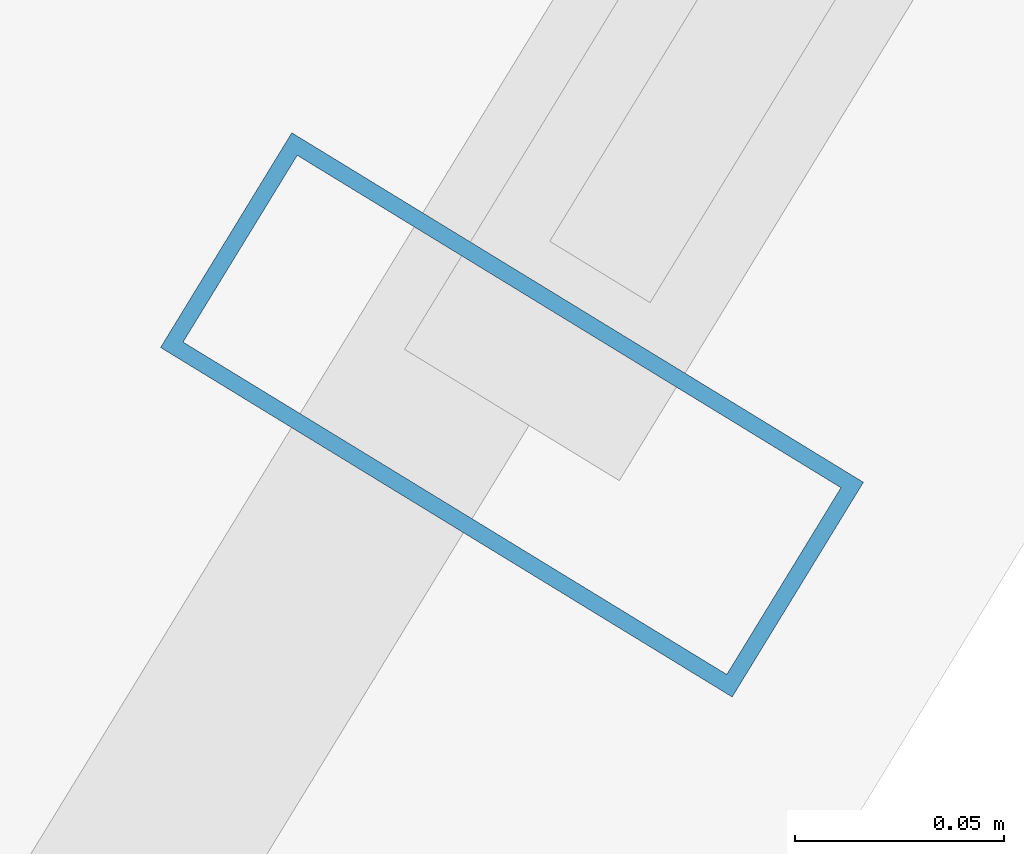
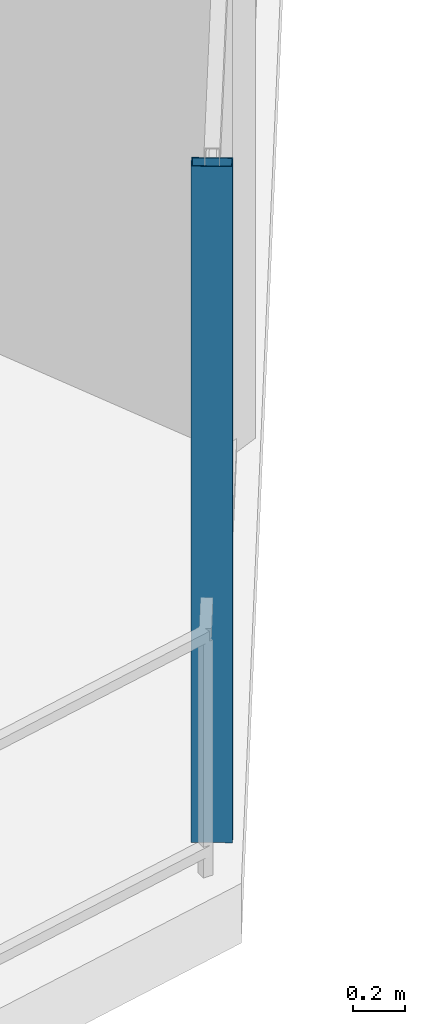
# One storey, part 5 of 30: 1 member, 1 element without a shape of its own.
"""IFC4 building model written with IfcOpenShell, lengths in metres."""

from ifc_helpers import new_model, si_unit, direction, frame, origin, origin_2d, place, context, subcontext, project, spatial, hollow_rectangle, extrude, material, layer, layer_set, material_profile, profile_set, type_object, element, aggregate, save


model = new_model("IFC4")

# Units and contexts
model_context = context("Model", 3, precision=1e-05, world=origin(), true_north=direction((0.0, 1.0)))
body_context = subcontext(model_context, "Body", "Model", "MODEL_VIEW")
ifc_project = project(units=[si_unit("LENGTHUNIT", "METRE"), si_unit("AREAUNIT", "SQUARE_METRE"), si_unit("VOLUMEUNIT", "CUBIC_METRE"), si_unit("PLANEANGLEUNIT", "RADIAN"), si_unit("MASSUNIT", "GRAM", prefix="KILO")], contexts=[model_context])

# Site, building, storey
site_placement = place(None, origin())
site = spatial("IfcSite", under=ifc_project, at=site_placement, CompositionType="ELEMENT")
building_placement = place(site_placement, origin())
building = spatial("IfcBuilding", under=site, at=building_placement, Name="Qarnah Convention Tower", CompositionType="ELEMENT")
storey_placement = place(building_placement, frame((0.0, 0.0, 61.5)))
storey = spatial("IfcBuildingStorey", under=building, at=storey_placement, Name="L15", CompositionType="ELEMENT", Elevation=61.5)

# Curtain wall, member
ifc_material_1 = material(Name="Tempered Low-E dark glass", Category="glass")
ifc_layer = layer(ifc_material_1, 0.16796875)
ifc_layer_set = layer_set([ifc_layer], Name="Tempered Low-E dark glass")
curtain_wall_type = type_object("IfcCurtainWallType", Name="CWS-01", PredefinedType="NOTDEFINED", material=ifc_layer_set)
curtain_wall_placement = place(storey_placement, origin())
curtain_wall = element("IfcCurtainWall", 1, at=curtain_wall_placement, inside=storey, type_object=curtain_wall_type, Name="L15 unitised curtain wall CW-L15-F2", PredefinedType="NOTDEFINED")
ifc_material_2 = material(Name="Black anodised aluminium", Category="aluminium")
ifc_material_profile = material_profile(ifc_material_2, hollow_rectangle(XDim=0.06005859375, YDim=0.159912109375, WallThickness=0.00390625, at=origin_2d()), Name="MUL-60X160")
ifc_profile_set = profile_set([ifc_material_profile], Name="Black anodised aluminium")
member_type = type_object("IfcMemberType", Name="MUL-T1", PredefinedType="MULLION", material=ifc_profile_set)
member_placement = place(storey_placement, frame((45.1279296875, 1.511962890625, 0.0), z_axis=(0.0, 0.0, 1.0), x_axis=(-0.52160777824, -0.853185399359, 0.0)))
member = element("IfcMember", 2, at=member_placement, type_object=member_type, Name="CW-L15-F2 mullion 6", PredefinedType="MULLION", context=body_context, shape_type="SweptSolid", body=[
    extrude(hollow_rectangle(XDim=0.06005859375, YDim=0.159912109375, WallThickness=0.00390625, at=origin_2d()), origin(), (0.0, 0.0, 1.0), 3.169921875),
])
aggregate(curtain_wall, [member])

save(model, "model.ifc")
